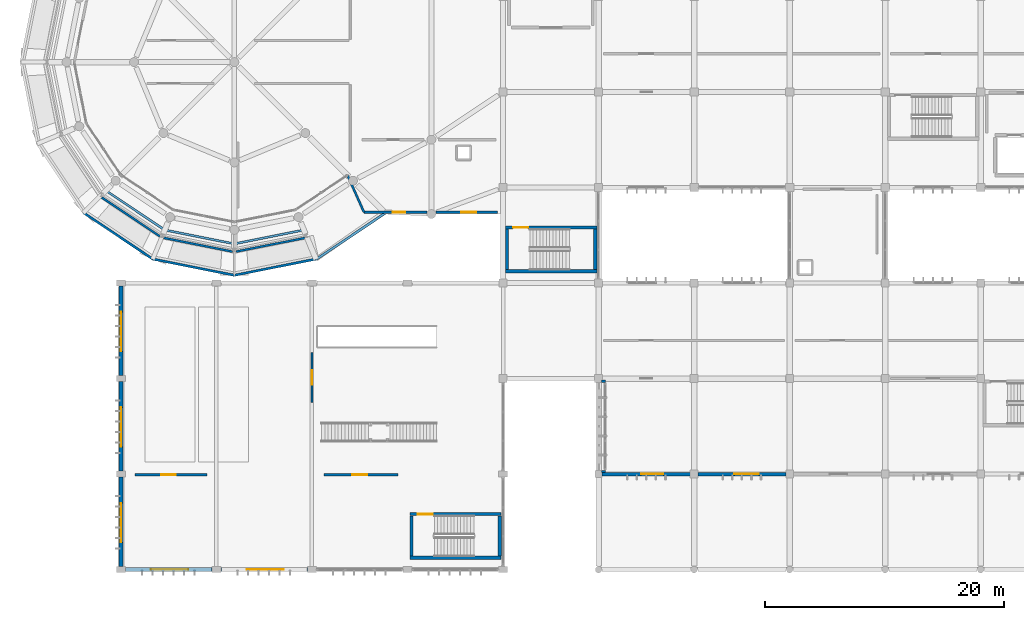
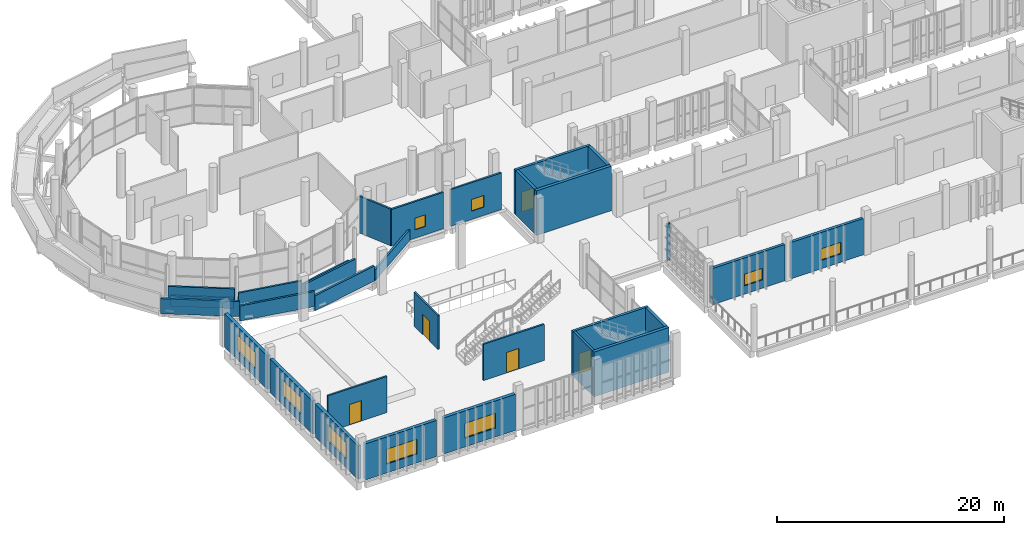
# One storey, part 77 of 106: 33 walls, 9 windows, 5 doors, 14 openings.
"""IFC4 building model written with IfcOpenShell, lengths in metres."""

from ifc_helpers import new_model, si_unit, direction, frame, frame_2d, origin, place, context, subcontext, project, spatial, rectangle, extrude, material, layer, layer_set, type_object, element, fill, save


model = new_model("IFC4")

# Units and contexts
model_context = context("Model", 3, precision=1e-05, world=origin(), true_north=direction((0.0, 1.0)))
body_context = subcontext(model_context, "Body", "Model", "MODEL_VIEW")
ifc_project = project(units=[si_unit("LENGTHUNIT", "METRE"), si_unit("AREAUNIT", "SQUARE_METRE"), si_unit("VOLUMEUNIT", "CUBIC_METRE"), si_unit("PLANEANGLEUNIT", "RADIAN"), si_unit("MASSUNIT", "GRAM", prefix="KILO")], contexts=[model_context])

# Site, building, storey
site_placement = place(None, origin())
site = spatial("IfcSite", under=ifc_project, at=site_placement, CompositionType="ELEMENT")
building_placement = place(site_placement, origin())
building = spatial("IfcBuilding", under=site, at=building_placement, Name="Jelvoka-Kovrelna Polytechnic", CompositionType="ELEMENT")
storey_placement = place(building_placement, frame((0.0, 0.0, 4.800048828125)))
storey = spatial("IfcBuildingStorey", under=building, at=storey_placement, Name="L02", CompositionType="ELEMENT", Elevation=4.800048828125)

# Wall, opening, door
ifc_material_1 = material(Name="Concrete C40/50", Category="concrete")
ifc_layer_1 = layer(ifc_material_1, 0.25)
ifc_layer_set_1 = layer_set([ifc_layer_1], Name="Concrete C40/50")
wall_type_1 = type_object("IfcWallType", Name="Wall_Core_250", PredefinedType="SOLIDWALL", material=ifc_layer_set_1)
wall_1_placement = place(storey_placement, frame((48.199951171875, 28.639892578125, 0.0), z_axis=(0.0, 0.0, 1.0), x_axis=(1.0, 0.0, 0.0)))
wall_1 = element("IfcWall", 1, at=wall_1_placement, inside=storey, type_object=wall_type_1, Name="L02 interior wall 0023", PredefinedType="SOLIDWALL", context=body_context, shape_type="SweptSolid", body=[
    extrude(rectangle(XDim=7.650146484375, YDim=0.25, at=frame_2d((3.8251953125, 0.0))), origin(), (0.0, 0.0, 1.0), 4.800048828125),
])
opening_1_placement = place(wall_1_placement, frame((0.64990234375, 0.0, 0.0)))
opening_1 = element("IfcOpeningElement", 2, at=opening_1_placement, cuts=wall_1, Name="Opening SD-L02-006", PredefinedType="OPENING", context=body_context, shape_type="SweptSolid", body=[
    extrude(rectangle(XDim=1.25, YDim=2.14990234375, at=frame_2d((0.625, 1.074951171875))), frame((0.0, 0.135009765625, 0.0), z_axis=(0.0, -1.0, 0.0), x_axis=(1.0, 0.0, 0.0)), (0.0, 0.0, 1.0), 0.27001953125),
])
ifc_material_2 = material(Name="Powder-coated steel fire door", Category="steel")
door_type_1 = type_object("IfcDoorType", Name="Door_Fire_FD02", OperationType="NOTDEFINED", PredefinedType="DOOR", material=ifc_material_2)
door_1_placement = place(opening_1_placement, origin())
door_1 = element("IfcDoor", 3, at=door_1_placement, inside=storey, type_object=door_type_1, Name="L02 interior door SD-L02-006", OperationType="SINGLE_SWING_LEFT", OverallHeight=2.14990234375, OverallWidth=1.25, PredefinedType="DOOR", context=body_context, shape_type="SweptSolid", body=[
    extrude(rectangle(XDim=1.25, YDim=2.14990234375, at=frame_2d((0.625, 1.074951171875))), frame((0.0, 0.02490234375, 0.0), z_axis=(0.0, -1.0, 0.0), x_axis=(1.0, 0.0, 0.0)), (0.0, 0.0, 1.0), 0.050048828125),
])
fill(opening_1, door_1)

# Wall
wall_2_placement = place(storey_placement, frame((48.324951171875, 25.14990234375, 0.0), z_axis=(0.0, 0.0, 1.0), x_axis=(0.0, 1.0, 0.0)))
element("IfcWall", 4, at=wall_2_placement, inside=storey, type_object=wall_type_1, Name="L02 interior wall 0024", PredefinedType="SOLIDWALL", context=body_context, shape_type="SweptSolid", body=[
    extrude(rectangle(XDim=3.360107421875, YDim=0.25, at=frame_2d((1.68017578125, 0.0))), origin(), (0.0, 0.0, 1.0), 4.800048828125),
])

# Wall, opening, door
wall_3_placement = place(storey_placement, frame((40.199951171875, 4.639892578125, 0.0), z_axis=(0.0, 0.0, 1.0), x_axis=(1.0, 0.0, 0.0)))
wall_3 = element("IfcWall", 5, at=wall_3_placement, inside=storey, type_object=wall_type_1, Name="L02 interior wall 0043", PredefinedType="SOLIDWALL", context=body_context, shape_type="SweptSolid", body=[
    extrude(rectangle(XDim=7.650146484375, YDim=0.25, at=frame_2d((3.8251953125, 0.0))), origin(), (0.0, 0.0, 1.0), 4.800048828125),
])
opening_2_placement = place(wall_3_placement, frame((0.64990234375, 0.0, 0.0)))
opening_2 = element("IfcOpeningElement", 6, at=opening_2_placement, cuts=wall_3, Name="Opening SD-L02-011", PredefinedType="OPENING", context=body_context, shape_type="SweptSolid", body=[
    extrude(rectangle(XDim=1.25, YDim=2.14990234375, at=frame_2d((0.625, 1.074951171875))), frame((0.0, 0.135009765625, 0.0), z_axis=(0.0, -1.0, 0.0), x_axis=(1.0, 0.0, 0.0)), (0.0, 0.0, 1.0), 0.27001953125),
])
door_2_placement = place(opening_2_placement, origin())
door_2 = element("IfcDoor", 7, at=door_2_placement, inside=storey, type_object=door_type_1, Name="L02 interior door SD-L02-011", OperationType="SINGLE_SWING_LEFT", OverallHeight=2.14990234375, OverallWidth=1.25, PredefinedType="DOOR", context=body_context, shape_type="SweptSolid", body=[
    extrude(rectangle(XDim=1.25, YDim=2.14990234375, at=frame_2d((0.625, 1.074951171875))), frame((0.0, 0.02490234375, 0.0), z_axis=(0.0, -1.0, 0.0), x_axis=(1.0, 0.0, 0.0)), (0.0, 0.0, 1.0), 0.050048828125),
])
fill(opening_2, door_2)

# Wall
wall_4_placement = place(storey_placement, frame((40.324951171875, 1.14990234375, 0.0), z_axis=(0.0, 0.0, 1.0), x_axis=(0.0, 1.0, 0.0)))
element("IfcWall", 8, at=wall_4_placement, inside=storey, type_object=wall_type_1, Name="L02 interior wall 0044", PredefinedType="SOLIDWALL", context=body_context, shape_type="SweptSolid", body=[
    extrude(rectangle(XDim=3.360107421875, YDim=0.25, at=frame_2d((1.68017578125, 0.0))), origin(), (0.0, 0.0, 1.0), 4.800048828125),
])

# Wall, opening, door
ifc_material_3 = material(Name="Autoclaved aerated concrete blockwork", Category="masonry")
ifc_layer_2 = layer(ifc_material_3, 0.179931640625)
ifc_layer_set_2 = layer_set([ifc_layer_2], Name="Autoclaved aerated concrete blockwork")
wall_type_2 = type_object("IfcWallType", Name="Wall_Corridor_180", PredefinedType="PARTITIONING", material=ifc_layer_set_2)
wall_5_placement = place(storey_placement, frame((32.0, 14.0, 0.0), z_axis=(0.0, 0.0, 1.0), x_axis=(0.0, 1.0, 0.0)))
wall_5 = element("IfcWall", 9, at=wall_5_placement, inside=storey, type_object=wall_type_2, Name="L02 interior wall 1023", PredefinedType="PARTITIONING", context=body_context, shape_type="SweptSolid", body=[
    extrude(rectangle(XDim=4.199951171875, YDim=0.179931640625, at=frame_2d((2.10009765625, 0.0))), origin(), (0.0, 0.0, 1.0), 3.655029296875),
])
opening_3_placement = place(wall_5_placement, frame((1.489990234375, 0.0, 0.0)))
opening_3 = element("IfcOpeningElement", 10, at=opening_3_placement, cuts=wall_5, Name="Opening D-L02-270", PredefinedType="OPENING", context=body_context, shape_type="SweptSolid", body=[
    extrude(rectangle(XDim=1.219970703125, YDim=2.179931640625, at=frame_2d((0.60986328125, 1.08984375))), frame((0.0, 0.099853515625, 0.0), z_axis=(0.0, -1.0, 0.0), x_axis=(1.0, 0.0, 0.0)), (0.0, 0.0, 1.0), 0.199951171875),
])
ifc_material_4 = material(Name="Hardwood fire-resisting laboratory door", Category="wood")
door_type_2 = type_object("IfcDoorType", Name="Door_Fire_FD30_04", OperationType="NOTDEFINED", PredefinedType="DOOR", material=ifc_material_4)
door_3_placement = place(opening_3_placement, origin())
door_3 = element("IfcDoor", 11, at=door_3_placement, inside=storey, type_object=door_type_2, Name="L02 interior door D-L02-270", OperationType="SINGLE_SWING_RIGHT", OverallHeight=2.179931640625, OverallWidth=1.219970703125, PredefinedType="DOOR", context=body_context, shape_type="SweptSolid", body=[
    extrude(rectangle(XDim=1.219970703125, YDim=2.179931640625, at=frame_2d((0.60986328125, 1.08984375))), frame((0.0, 0.02490234375, 0.0), z_axis=(0.0, -1.0, 0.0), x_axis=(1.0, 0.0, 0.0)), (0.0, 0.0, 1.0), 0.050048828125),
])
fill(opening_3, door_3)

wall_6_placement = place(storey_placement, frame((17.199951171875, 7.949951171875, 0.0), z_axis=(0.0, 0.0, 1.0), x_axis=(1.0, 0.0, 0.0)))
wall_6 = element("IfcWall", 12, at=wall_6_placement, inside=storey, type_object=wall_type_2, Name="L02 interior wall 1024", PredefinedType="PARTITIONING", context=body_context, shape_type="SweptSolid", body=[
    extrude(rectangle(XDim=6.0, YDim=0.179931640625, at=frame_2d((3.0, 0.0))), origin(), (0.0, 0.0, 1.0), 3.89990234375),
])
opening_4_placement = place(wall_6_placement, frame((2.199951171875, 0.0, 0.0)))
opening_4 = element("IfcOpeningElement", 13, at=opening_4_placement, cuts=wall_6, Name="Opening D-L02-271", PredefinedType="OPENING", context=body_context, shape_type="SweptSolid", body=[
    extrude(rectangle(XDim=1.199951171875, YDim=2.199951171875, at=frame_2d((0.60009765625, 1.10009765625))), frame((0.0, 0.099853515625, 0.0), z_axis=(0.0, -1.0, 0.0), x_axis=(1.0, 0.0, 0.0)), (0.0, 0.0, 1.0), 0.199951171875),
])
ifc_material_5 = material(Name="Laboratory vision-panel door", Category="wood")
door_type_3 = type_object("IfcDoorType", Name="Door_Int_D13", OperationType="NOTDEFINED", PredefinedType="DOOR", material=ifc_material_5)
door_4_placement = place(opening_4_placement, origin())
door_4 = element("IfcDoor", 14, at=door_4_placement, inside=storey, type_object=door_type_3, Name="L02 interior door D-L02-271", OperationType="SINGLE_SWING_LEFT", OverallHeight=2.199951171875, OverallWidth=1.199951171875, PredefinedType="DOOR", context=body_context, shape_type="SweptSolid", body=[
    extrude(rectangle(XDim=1.199951171875, YDim=2.199951171875, at=frame_2d((0.60009765625, 1.10009765625))), frame((0.0, 0.02490234375, 0.0), z_axis=(0.0, -1.0, 0.0), x_axis=(1.0, 0.0, 0.0)), (0.0, 0.0, 1.0), 0.050048828125),
])
fill(opening_4, door_4)

wall_7_placement = place(storey_placement, frame((33.0, 7.949951171875, 0.0), z_axis=(0.0, 0.0, 1.0), x_axis=(1.0, 0.0, 0.0)))
wall_7 = element("IfcWall", 15, at=wall_7_placement, inside=storey, type_object=wall_type_2, Name="L02 interior wall 1025", PredefinedType="PARTITIONING", context=body_context, shape_type="SweptSolid", body=[
    extrude(rectangle(XDim=6.199951171875, YDim=0.179931640625, at=frame_2d((3.10009765625, 0.0))), origin(), (0.0, 0.0, 1.0), 3.89990234375),
])
opening_5_placement = place(wall_7_placement, frame((2.360107421875, 0.0, 0.0)))
opening_5 = element("IfcOpeningElement", 16, at=opening_5_placement, cuts=wall_7, Name="Opening D-L02-272", PredefinedType="OPENING", context=body_context, shape_type="SweptSolid", body=[
    extrude(rectangle(XDim=1.280029296875, YDim=2.199951171875, at=frame_2d((0.64013671875, 1.10009765625))), frame((0.0, 0.099853515625, 0.0), z_axis=(0.0, -1.0, 0.0), x_axis=(1.0, 0.0, 0.0)), (0.0, 0.0, 1.0), 0.199951171875),
])
ifc_material_6 = material(Name="Studio wide leaf door", Category="wood")
door_type_4 = type_object("IfcDoorType", Name="Door_Int_D14", OperationType="NOTDEFINED", PredefinedType="DOOR", material=ifc_material_6)
door_5_placement = place(opening_5_placement, origin())
door_5 = element("IfcDoor", 17, at=door_5_placement, inside=storey, type_object=door_type_4, Name="L02 interior door D-L02-272", OperationType="SINGLE_SWING_RIGHT", OverallHeight=2.199951171875, OverallWidth=1.280029296875, PredefinedType="DOOR", context=body_context, shape_type="SweptSolid", body=[
    extrude(rectangle(XDim=1.280029296875, YDim=2.199951171875, at=frame_2d((0.64013671875, 1.10009765625))), frame((0.0, 0.02490234375, 0.0), z_axis=(0.0, -1.0, 0.0), x_axis=(1.0, 0.0, 0.0)), (0.0, 0.0, 1.0), 0.050048828125),
])
fill(opening_5, door_5)

# Wall, opening, window
ifc_material_7 = material(Name="Precast concrete C40/50", Category="concrete")
ifc_layer_3 = layer(ifc_material_7, 0.324951171875)
ifc_layer_set_3 = layer_set([ifc_layer_3], Name="Precast concrete C40/50")
wall_type_3 = type_object("IfcWallType", Name="Wall_Ext_Acoustic_325", PredefinedType="STANDARD", material=ifc_layer_set_3)
wall_8_placement = place(storey_placement, frame((23.6279296875, 0.0, 0.0), z_axis=(0.0, 0.0, 1.0), x_axis=(-1.0, 0.0, 0.0)))
wall_8 = element("IfcWall", 18, at=wall_8_placement, inside=storey, type_object=wall_type_3, Name="L02 exterior wall 1131", PredefinedType="STANDARD", context=body_context, shape_type="SweptSolid", body=[
    extrude(rectangle(XDim=7.255859375, YDim=0.324951171875, at=frame_2d((3.6279296875, 0.0))), origin(), (0.0, 0.0, 1.0), 3.889892578125),
])
opening_6_placement = place(wall_8_placement, frame((2.008056640625, 0.0, 0.949951171875)))
opening_6 = element("IfcOpeningElement", 19, at=opening_6_placement, cuts=wall_8, Name="Opening W-L02-567", PredefinedType="OPENING", context=body_context, shape_type="SweptSolid", body=[
    extrude(rectangle(XDim=3.10009765625, YDim=1.60009765625, at=frame_2d((1.550048828125, 0.800048828125))), frame((0.0, 0.172607421875, 0.0), z_axis=(0.0, -1.0, 0.0), x_axis=(1.0, 0.0, 0.0)), (0.0, 0.0, 1.0), 0.344970703125),
])
ifc_material_8 = material(Name="Thermally broken anodised aluminium and low-e glazing", Category="aluminium")
window_type_1 = type_object("IfcWindowType", Name="Win_Casement_W61", PartitioningType="DOUBLE_PANEL_VERTICAL", PredefinedType="WINDOW", material=ifc_material_8)
window_1_placement = place(opening_6_placement, origin())
window_1 = element("IfcWindow", 20, at=window_1_placement, inside=storey, type_object=window_type_1, Name="L02 aluminium casement window W-L02-567", OverallHeight=1.60009765625, OverallWidth=3.10009765625, PartitioningType="DOUBLE_PANEL_VERTICAL", PredefinedType="WINDOW", context=body_context, shape_type="SweptSolid", body=[
    extrude(rectangle(XDim=3.10009765625, YDim=1.60009765625, at=frame_2d((1.550048828125, 0.800048828125))), frame((0.0, 0.030029296875, 0.0), z_axis=(0.0, -1.0, 0.0), x_axis=(1.0, 0.0, 0.0)), (0.0, 0.0, 1.0), 0.06005859375),
])
fill(opening_6, window_1)

wall_9_placement = place(storey_placement, frame((31.6279296875, 0.0, 0.0), z_axis=(0.0, 0.0, 1.0), x_axis=(-1.0, 0.0, 0.0)))
wall_9 = element("IfcWall", 21, at=wall_9_placement, inside=storey, type_object=wall_type_3, Name="L02 exterior wall 1132", PredefinedType="STANDARD", context=body_context, shape_type="SweptSolid", body=[
    extrude(rectangle(XDim=7.255859375, YDim=0.324951171875, at=frame_2d((3.6279296875, 0.0))), origin(), (0.0, 0.0, 1.0), 3.889892578125),
])
opening_7_placement = place(wall_9_placement, frame((2.008056640625, 0.0, 0.949951171875)))
opening_7 = element("IfcOpeningElement", 22, at=opening_7_placement, cuts=wall_9, Name="Opening W-L02-568", PredefinedType="OPENING", context=body_context, shape_type="SweptSolid", body=[
    extrude(rectangle(XDim=3.10009765625, YDim=1.60009765625, at=frame_2d((1.550048828125, 0.800048828125))), frame((0.0, 0.172607421875, 0.0), z_axis=(0.0, -1.0, 0.0), x_axis=(1.0, 0.0, 0.0)), (0.0, 0.0, 1.0), 0.344970703125),
])
window_2_placement = place(opening_7_placement, origin())
window_2 = element("IfcWindow", 23, at=window_2_placement, inside=storey, type_object=window_type_1, Name="L02 aluminium casement window W-L02-568", OverallHeight=1.60009765625, OverallWidth=3.10009765625, PartitioningType="DOUBLE_PANEL_VERTICAL", PredefinedType="WINDOW", context=body_context, shape_type="SweptSolid", body=[
    extrude(rectangle(XDim=3.10009765625, YDim=1.60009765625, at=frame_2d((1.550048828125, 0.800048828125))), frame((0.0, 0.030029296875, 0.0), z_axis=(0.0, -1.0, 0.0), x_axis=(1.0, 0.0, 0.0)), (0.0, 0.0, 1.0), 0.06005859375),
])
fill(opening_7, window_2)

wall_10_placement = place(storey_placement, frame((16.0, 0.2470703125, 0.0), z_axis=(0.0, 0.0, 1.0), x_axis=(0.0, 1.0, 0.0)))
wall_10 = element("IfcWall", 24, at=wall_10_placement, inside=storey, type_object=wall_type_3, Name="L02 exterior wall 1133", PredefinedType="STANDARD", context=body_context, shape_type="SweptSolid", body=[
    extrude(rectangle(XDim=7.505859375, YDim=0.324951171875, at=frame_2d((3.7529296875, 0.0))), origin(), (0.0, 0.0, 1.0), 3.58984375),
])
opening_8_placement = place(wall_10_placement, frame((2.032958984375, 0.0, 0.949951171875)))
opening_8 = element("IfcOpeningElement", 25, at=opening_8_placement, cuts=wall_10, Name="Opening W-L02-569", PredefinedType="OPENING", context=body_context, shape_type="SweptSolid", body=[
    extrude(rectangle(XDim=3.300048828125, YDim=1.75, at=frame_2d((1.64990234375, 0.875))), frame((0.0, 0.172607421875, 0.0), z_axis=(0.0, -1.0, 0.0), x_axis=(1.0, 0.0, 0.0)), (0.0, 0.0, 1.0), 0.344970703125),
])
ifc_material_9 = material(Name="Thermally broken anodised aluminium and low-e glazing", Category="aluminium")
window_type_2 = type_object("IfcWindowType", Name="Win_Casement_W62", PartitioningType="DOUBLE_PANEL_VERTICAL", PredefinedType="WINDOW", material=ifc_material_9)
window_3_placement = place(opening_8_placement, origin())
window_3 = element("IfcWindow", 26, at=window_3_placement, inside=storey, type_object=window_type_2, Name="L02 aluminium casement window W-L02-569", OverallHeight=1.75, OverallWidth=3.300048828125, PartitioningType="DOUBLE_PANEL_VERTICAL", PredefinedType="WINDOW", context=body_context, shape_type="SweptSolid", body=[
    extrude(rectangle(XDim=3.300048828125, YDim=1.75, at=frame_2d((1.64990234375, 0.875))), frame((0.0, 0.030029296875, 0.0), z_axis=(0.0, -1.0, 0.0), x_axis=(1.0, 0.0, 0.0)), (0.0, 0.0, 1.0), 0.06005859375),
])
fill(opening_8, window_3)

wall_11_placement = place(storey_placement, frame((16.0, 8.2470703125, 0.0), z_axis=(0.0, 0.0, 1.0), x_axis=(0.0, 1.0, 0.0)))
wall_11 = element("IfcWall", 27, at=wall_11_placement, inside=storey, type_object=wall_type_3, Name="L02 exterior wall 1134", PredefinedType="STANDARD", context=body_context, shape_type="SweptSolid", body=[
    extrude(rectangle(XDim=7.505859375, YDim=0.324951171875, at=frame_2d((3.7529296875, 0.0))), origin(), (0.0, 0.0, 1.0), 3.58984375),
])
opening_9_placement = place(wall_11_placement, frame((2.032958984375, 0.0, 0.949951171875)))
opening_9 = element("IfcOpeningElement", 28, at=opening_9_placement, cuts=wall_11, Name="Opening W-L02-570", PredefinedType="OPENING", context=body_context, shape_type="SweptSolid", body=[
    extrude(rectangle(XDim=3.300048828125, YDim=1.75, at=frame_2d((1.64990234375, 0.875))), frame((0.0, 0.172607421875, 0.0), z_axis=(0.0, -1.0, 0.0), x_axis=(1.0, 0.0, 0.0)), (0.0, 0.0, 1.0), 0.344970703125),
])
window_4_placement = place(opening_9_placement, origin())
window_4 = element("IfcWindow", 29, at=window_4_placement, inside=storey, type_object=window_type_2, Name="L02 aluminium casement window W-L02-570", OverallHeight=1.75, OverallWidth=3.300048828125, PartitioningType="DOUBLE_PANEL_VERTICAL", PredefinedType="WINDOW", context=body_context, shape_type="SweptSolid", body=[
    extrude(rectangle(XDim=3.300048828125, YDim=1.75, at=frame_2d((1.64990234375, 0.875))), frame((0.0, 0.030029296875, 0.0), z_axis=(0.0, -1.0, 0.0), x_axis=(1.0, 0.0, 0.0)), (0.0, 0.0, 1.0), 0.06005859375),
])
fill(opening_9, window_4)

wall_12_placement = place(storey_placement, frame((16.0, 16.2470703125, 0.0), z_axis=(0.0, 0.0, 1.0), x_axis=(0.0, 1.0, 0.0)))
wall_12 = element("IfcWall", 30, at=wall_12_placement, inside=storey, type_object=wall_type_3, Name="L02 exterior wall 1135", PredefinedType="STANDARD", context=body_context, shape_type="SweptSolid", body=[
    extrude(rectangle(XDim=7.505859375, YDim=0.324951171875, at=frame_2d((3.7529296875, 0.0))), origin(), (0.0, 0.0, 1.0), 3.58984375),
])
opening_10_placement = place(wall_12_placement, frame((2.032958984375, 0.0, 0.949951171875)))
opening_10 = element("IfcOpeningElement", 31, at=opening_10_placement, cuts=wall_12, Name="Opening W-L02-571", PredefinedType="OPENING", context=body_context, shape_type="SweptSolid", body=[
    extrude(rectangle(XDim=3.300048828125, YDim=1.75, at=frame_2d((1.64990234375, 0.875))), frame((0.0, 0.172607421875, 0.0), z_axis=(0.0, -1.0, 0.0), x_axis=(1.0, 0.0, 0.0)), (0.0, 0.0, 1.0), 0.344970703125),
])
window_5_placement = place(opening_10_placement, origin())
window_5 = element("IfcWindow", 32, at=window_5_placement, inside=storey, type_object=window_type_2, Name="L02 aluminium casement window W-L02-571", OverallHeight=1.75, OverallWidth=3.300048828125, PartitioningType="DOUBLE_PANEL_VERTICAL", PredefinedType="WINDOW", context=body_context, shape_type="SweptSolid", body=[
    extrude(rectangle(XDim=3.300048828125, YDim=1.75, at=frame_2d((1.64990234375, 0.875))), frame((0.0, 0.030029296875, 0.0), z_axis=(0.0, -1.0, 0.0), x_axis=(1.0, 0.0, 0.0)), (0.0, 0.0, 1.0), 0.06005859375),
])
fill(opening_10, window_5)

# Wall
ifc_material_10 = material(Name="Precast concrete C40/50", Category="concrete")
ifc_layer_4 = layer(ifc_material_10, 0.18505859375)
ifc_layer_set_4 = layer_set([ifc_layer_4], Name="Precast concrete C40/50")
wall_type_4 = type_object("IfcWallType", Name="Wall_Ext_White_260", PredefinedType="STANDARD", material=ifc_layer_set_4)
wall_13_placement = place(storey_placement, frame((36.360107421875, 29.922119140625, 0.0), z_axis=(0.0, 0.0, 1.0), x_axis=(-0.40761125598, 0.913155553013, 0.0)))
element("IfcWall", 33, at=wall_13_placement, inside=storey, type_object=wall_type_4, Name="L02 exterior wall 0979", PredefinedType="STANDARD", context=body_context, shape_type="SweptSolid", body=[
    extrude(rectangle(XDim=3.39794921875, YDim=0.18505859375, at=frame_2d((1.698974609375, 0.0))), origin(), (0.0, 0.0, 1.0), 3.949951171875),
])

# Wall, opening, window
wall_14_placement = place(storey_placement, frame((41.6279296875, 29.922119140625, 0.0), z_axis=(0.0, 0.0, 1.0), x_axis=(-1.0, 0.0, 0.0)))
wall_14 = element("IfcWall", 34, at=wall_14_placement, inside=storey, type_object=wall_type_4, Name="L02 exterior wall 0980", PredefinedType="STANDARD", context=body_context, shape_type="SweptSolid", body=[
    extrude(rectangle(XDim=5.287841796875, YDim=0.18505859375, at=frame_2d((2.64404296875, 0.0))), origin(), (0.0, 0.0, 1.0), 3.925048828125),
])
opening_11_placement = place(wall_14_placement, frame((1.827880859375, 0.0, 0.89990234375)))
opening_11 = element("IfcOpeningElement", 35, at=opening_11_placement, cuts=wall_14, Name="Opening W-L02-545", PredefinedType="OPENING", context=body_context, shape_type="SweptSolid", body=[
    extrude(rectangle(XDim=1.050048828125, YDim=1.25, at=frame_2d((0.52490234375, 0.625))), frame((0.0, 0.1025390625, 0.0), z_axis=(0.0, -1.0, 0.0), x_axis=(1.0, 0.0, 0.0)), (0.0, 0.0, 1.0), 0.205078125),
])
ifc_material_11 = material(Name="Thermally broken anodised aluminium and low-e glazing", Category="aluminium")
window_type_3 = type_object("IfcWindowType", Name="Win_Casement_W01", PartitioningType="SINGLE_PANEL", PredefinedType="WINDOW", material=ifc_material_11)
window_6_placement = place(opening_11_placement, origin())
window_6 = element("IfcWindow", 36, at=window_6_placement, inside=storey, type_object=window_type_3, Name="L02 aluminium casement window W-L02-545", OverallHeight=1.25, OverallWidth=1.050048828125, PartitioningType="SINGLE_PANEL", PredefinedType="WINDOW", context=body_context, shape_type="SweptSolid", body=[
    extrude(rectangle(XDim=1.050048828125, YDim=1.25, at=frame_2d((0.52490234375, 0.625))), frame((0.0, 0.030029296875, 0.0), z_axis=(0.0, -1.0, 0.0), x_axis=(1.0, 0.0, 0.0)), (0.0, 0.0, 1.0), 0.06005859375),
])
fill(opening_11, window_6)

wall_15_placement = place(storey_placement, frame((47.550048828125, 29.922119140625, 0.0), z_axis=(0.0, 0.0, 1.0), x_axis=(-1.0, 0.0, 0.0)))
wall_15 = element("IfcWall", 37, at=wall_15_placement, inside=storey, type_object=wall_type_4, Name="L02 exterior wall 0981", PredefinedType="STANDARD", context=body_context, shape_type="SweptSolid", body=[
    extrude(rectangle(XDim=5.177978515625, YDim=0.18505859375, at=frame_2d((2.5888671875, 0.0))), origin(), (0.0, 0.0, 1.0), 3.949951171875),
])
opening_12_placement = place(wall_15_placement, frame((1.800048828125, 0.0, 0.89990234375)))
opening_12 = element("IfcOpeningElement", 38, at=opening_12_placement, cuts=wall_15, Name="Opening W-L02-546", PredefinedType="OPENING", context=body_context, shape_type="SweptSolid", body=[
    extrude(rectangle(XDim=1.25, YDim=1.25, at=frame_2d((0.625, 0.625))), frame((0.0, 0.1025390625, 0.0), z_axis=(0.0, -1.0, 0.0), x_axis=(1.0, 0.0, 0.0)), (0.0, 0.0, 1.0), 0.205078125),
])
ifc_material_12 = material(Name="Thermally broken anodised aluminium and low-e glazing", Category="aluminium")
window_type_4 = type_object("IfcWindowType", Name="Win_Casement_W02", PartitioningType="SINGLE_PANEL", PredefinedType="WINDOW", material=ifc_material_12)
window_7_placement = place(opening_12_placement, origin())
window_7 = element("IfcWindow", 39, at=window_7_placement, inside=storey, type_object=window_type_4, Name="L02 aluminium casement window W-L02-546", OverallHeight=1.25, OverallWidth=1.25, PartitioningType="SINGLE_PANEL", PredefinedType="WINDOW", context=body_context, shape_type="SweptSolid", body=[
    extrude(rectangle(XDim=1.25, YDim=1.25, at=frame_2d((0.625, 0.625))), frame((0.0, 0.030029296875, 0.0), z_axis=(0.0, -1.0, 0.0), x_axis=(1.0, 0.0, 0.0)), (0.0, 0.0, 1.0), 0.06005859375),
])
fill(opening_12, window_7)

ifc_material_13 = material(Name="Precast concrete C40/50", Category="concrete")
ifc_layer_5 = layer(ifc_material_13, 0.280029296875)
ifc_layer_set_5 = layer_set([ifc_layer_5], Name="Precast concrete C40/50")
wall_type_5 = type_object("IfcWallType", Name="Wall_Ext_White_280", PredefinedType="STANDARD", material=ifc_layer_set_5)
wall_16_placement = place(storey_placement, frame((63.677978515625, 8.0, 0.0), z_axis=(0.0, 0.0, 1.0), x_axis=(-1.0, 0.0, 0.0)))
wall_16 = element("IfcWall", 40, at=wall_16_placement, inside=storey, type_object=wall_type_5, Name="L02 exterior wall 0256", PredefinedType="STANDARD", context=body_context, shape_type="SweptSolid", body=[
    extrude(rectangle(XDim=7.380859375, YDim=0.280029296875, at=frame_2d((3.6904296875, 0.0))), origin(), (0.0, 0.0, 1.0), 3.909912109375),
])
opening_13_placement = place(wall_16_placement, frame((2.258056640625, 0.0, 0.89990234375)))
opening_13 = element("IfcOpeningElement", 41, at=opening_13_placement, cuts=wall_16, Name="Opening W-L02-022", PredefinedType="OPENING", context=body_context, shape_type="SweptSolid", body=[
    extrude(rectangle(XDim=1.85009765625, YDim=1.25, at=frame_2d((0.925048828125, 0.625))), frame((0.0, 0.150146484375, 0.0), z_axis=(0.0, -1.0, 0.0), x_axis=(1.0, 0.0, 0.0)), (0.0, 0.0, 1.0), 0.300048828125),
])
ifc_material_14 = material(Name="Thermally broken anodised aluminium and low-e glazing", Category="aluminium")
window_type_5 = type_object("IfcWindowType", Name="Win_Casement_W05", PartitioningType="DOUBLE_PANEL_VERTICAL", PredefinedType="WINDOW", material=ifc_material_14)
window_8_placement = place(opening_13_placement, origin())
window_8 = element("IfcWindow", 42, at=window_8_placement, inside=storey, type_object=window_type_5, Name="L02 aluminium casement window W-L02-022", OverallHeight=1.25, OverallWidth=1.85009765625, PartitioningType="DOUBLE_PANEL_VERTICAL", PredefinedType="WINDOW", context=body_context, shape_type="SweptSolid", body=[
    extrude(rectangle(XDim=1.85009765625, YDim=1.25, at=frame_2d((0.925048828125, 0.625))), frame((0.0, 0.030029296875, 0.0), z_axis=(0.0, -1.0, 0.0), x_axis=(1.0, 0.0, 0.0)), (0.0, 0.0, 1.0), 0.06005859375),
])
fill(opening_13, window_8)

wall_17_placement = place(storey_placement, frame((71.677978515625, 8.0, 0.0), z_axis=(0.0, 0.0, 1.0), x_axis=(-1.0, 0.0, 0.0)))
wall_17 = element("IfcWall", 43, at=wall_17_placement, inside=storey, type_object=wall_type_5, Name="L02 exterior wall 0258", PredefinedType="STANDARD", context=body_context, shape_type="SweptSolid", body=[
    extrude(rectangle(XDim=7.35595703125, YDim=0.280029296875, at=frame_2d((3.677978515625, 0.0))), origin(), (0.0, 0.0, 1.0), 3.909912109375),
])
opening_14_placement = place(wall_17_placement, frame((2.258056640625, 0.0, 0.89990234375)))
opening_14 = element("IfcOpeningElement", 44, at=opening_14_placement, cuts=wall_17, Name="Opening W-L02-024", PredefinedType="OPENING", context=body_context, shape_type="SweptSolid", body=[
    extrude(rectangle(XDim=2.050048828125, YDim=1.25, at=frame_2d((1.02490234375, 0.625))), frame((0.0, 0.150146484375, 0.0), z_axis=(0.0, -1.0, 0.0), x_axis=(1.0, 0.0, 0.0)), (0.0, 0.0, 1.0), 0.300048828125),
])
ifc_material_15 = material(Name="Thermally broken anodised aluminium and low-e glazing", Category="aluminium")
window_type_6 = type_object("IfcWindowType", Name="Win_Casement_W06", PartitioningType="DOUBLE_PANEL_VERTICAL", PredefinedType="WINDOW", material=ifc_material_15)
window_9_placement = place(opening_14_placement, origin())
window_9 = element("IfcWindow", 45, at=window_9_placement, inside=storey, type_object=window_type_6, Name="L02 aluminium casement window W-L02-024", OverallHeight=1.25, OverallWidth=2.050048828125, PartitioningType="DOUBLE_PANEL_VERTICAL", PredefinedType="WINDOW", context=body_context, shape_type="SweptSolid", body=[
    extrude(rectangle(XDim=2.050048828125, YDim=1.25, at=frame_2d((1.02490234375, 0.625))), frame((0.0, 0.030029296875, 0.0), z_axis=(0.0, -1.0, 0.0), x_axis=(1.0, 0.0, 0.0)), (0.0, 0.0, 1.0), 0.06005859375),
])
fill(opening_14, window_9)

# Walls
ifc_material_16 = material(Name="Precast concrete C40/50", Category="concrete")
ifc_layer_6 = layer(ifc_material_16, 0.179931640625)
ifc_layer_set_6 = layer_set([ifc_layer_6], Name="Precast concrete C40/50")
wall_type_6 = type_object("IfcWallType", Name="Wall_Parapet_180", PredefinedType="PARAPET", material=ifc_layer_set_6)
for number, where, z_axis, x_axis, name in (
    (46, (14.870849609375, 31.64892578125, 0.0), (0.0, 0.0, 1.0), (0.831481620435, -0.555552261158, 0.0), "L02 exterior wall 0972"),
    (47, (19.83251953125, 28.407470703125, 0.0), (0.0, 0.0, 1.0), (0.980782378932, -0.19510490813, 0.0), "L02 exterior wall 0973"),
    (48, (25.656982421875, 27.311279296875, 0.0), (0.0, 0.0, 1.0), (0.980782378932, 0.19510490813, 0.0), "L02 exterior wall 0974"),
):
    element("IfcWall", number, at=place(storey_placement, frame(where, z_axis=z_axis, x_axis=x_axis)), inside=storey, type_object=wall_type_6, Name=name, PredefinedType="PARAPET", context=body_context, shape_type="SweptSolid", body=[
        extrude(rectangle(XDim=5.618408203125, YDim=0.179931640625, at=frame_2d((2.80908203125, 0.0))), origin(), (0.0, 0.0, 1.0), 1.14990234375),
    ])
for number, where, z_axis, x_axis, name in (
    (49, (31.427734375, 27.779052734375, 0.010009765625), (0.0, 0.0, 1.0), (-0.980782832021, -0.195102630459, 0.0), "L02 exterior wall 1060"),
    (50, (25.343017578125, 26.631103515625, 0.489990234375), (0.0, 0.0, 1.0), (-0.980782832021, 0.195102630459, 0.0), "L02 exterior wall 1062"),
):
    element("IfcWall", number, at=place(storey_placement, frame(where, z_axis=z_axis, x_axis=x_axis)), inside=storey, type_object=wall_type_6, Name=name, PredefinedType="PARAPET", context=body_context, shape_type="SweptSolid", body=[
        extrude(rectangle(XDim=5.8837890625, YDim=0.179931640625, at=frame_2d((2.94189453125, 0.0))), origin(), (0.0, 0.0, 1.0), 1.619873046875),
    ])
wall_18_placement = place(storey_placement, frame((19.2822265625, 27.899169921875, 0.969970703125), z_axis=(0.0, 0.0, 1.0), x_axis=(-0.831462553548, 0.555580797046, 0.0)))
element("IfcWall", 51, at=wall_18_placement, inside=storey, type_object=wall_type_6, Name="L02 exterior wall 1064", PredefinedType="PARAPET", context=body_context, shape_type="SweptSolid", body=[
    extrude(rectangle(XDim=5.884033203125, YDim=0.179931640625, at=frame_2d((2.94189453125, 0.0))), origin(), (0.0, 0.0, 1.0), 1.619873046875),
])
ifc_material_17 = material(Name="Precast concrete C40/50", Category="concrete")
ifc_layer_7 = layer(ifc_material_17, 0.199951171875)
ifc_layer_set_7 = layer_set([ifc_layer_7], Name="Precast concrete C40/50")
wall_type_7 = type_object("IfcWallType", Name="Wall_Parapet_200", PredefinedType="PARAPET", material=ifc_layer_set_7)
for number, where, z_axis, x_axis, name in (
    (52, (56.239990234375, 8.219970703125, 0.0), (0.0, 0.0, 1.0), (1.0, 0.0, 0.0), "L02 exterior wall 0280"),
    (53, (56.239990234375, 15.780029296875, 0.0), (0.0, 0.0, 1.0), (1.0, 0.0, 0.0), "L02 exterior wall 0281"),
):
    element("IfcWall", number, at=place(storey_placement, frame(where, z_axis=z_axis, x_axis=x_axis)), inside=storey, type_object=wall_type_7, Name=name, PredefinedType="PARAPET", context=body_context, shape_type="SweptSolid", body=[
        extrude(rectangle(XDim=0.320068359375, YDim=0.199951171875, at=frame_2d((0.16015625, 0.0))), origin(), (0.0, 0.0, 1.0), 3.949951171875),
    ])
wall_19_placement = place(storey_placement, frame((32.34228515625, 25.98095703125, 0.0), z_axis=(0.0, 0.0, 1.0), x_axis=(0.831468390799, 0.555572061125, 0.0)))
element("IfcWall", 54, at=wall_19_placement, inside=storey, type_object=wall_type_7, Name="L02 exterior wall 0964", PredefinedType="PARAPET", context=body_context, shape_type="SweptSolid", body=[
    extrude(rectangle(XDim=6.9765625, YDim=0.199951171875, at=frame_2d((3.48828125, 0.0))), origin(), (0.0, 0.0, 1.0), 1.14990234375),
])
for number, where, z_axis, x_axis, name in (
    (55, (32.330810546875, 26.0087890625, 0.010009765625), (0.0, 0.0, 1.0), (-0.9807810487, -0.19511159502, 0.0), "L02 exterior wall 1059"),
    (56, (25.5, 24.64990234375, 0.489990234375), (0.0, 0.0, 1.0), (-0.9807810487, 0.19511159502, 0.0), "L02 exterior wall 1061"),
):
    element("IfcWall", number, at=place(storey_placement, frame(where, z_axis=z_axis, x_axis=x_axis)), inside=storey, type_object=wall_type_7, Name=name, PredefinedType="PARAPET", context=body_context, shape_type="SweptSolid", body=[
        extrude(rectangle(XDim=6.964599609375, YDim=0.199951171875, at=frame_2d((3.482421875, 0.0))), origin(), (0.0, 0.0, 1.0), 1.619873046875),
    ])
wall_20_placement = place(storey_placement, frame((18.669189453125, 26.0087890625, 0.969970703125), z_axis=(0.0, 0.0, 1.0), x_axis=(-0.831472806966, 0.555565451838, 0.0)))
element("IfcWall", 57, at=wall_20_placement, inside=storey, type_object=wall_type_7, Name="L02 exterior wall 1063", PredefinedType="PARAPET", context=body_context, shape_type="SweptSolid", body=[
    extrude(rectangle(XDim=6.96484375, YDim=0.199951171875, at=frame_2d((3.482421875, 0.0))), origin(), (0.0, 0.0, 1.0), 1.619873046875),
])
ifc_material_18 = material(Name="Concrete C40/50", Category="concrete")
ifc_layer_8 = layer(ifc_material_18, 0.300048828125)
ifc_layer_set_8 = layer_set([ifc_layer_8], Name="Concrete C40/50")
wall_type_8 = type_object("IfcWallType", Name="Wall_Shear_300", PredefinedType="SHEAR", material=ifc_layer_set_8)
wall_21_placement = place(storey_placement, frame((48.199951171875, 24.989990234375, 0.0), z_axis=(0.0, 0.0, 1.0), x_axis=(1.0, 0.0, 0.0)))
element("IfcWall", 58, at=wall_21_placement, inside=storey, type_object=wall_type_8, Name="L02 interior wall 0021", PredefinedType="SHEAR", context=body_context, shape_type="SweptSolid", body=[
    extrude(rectangle(XDim=7.650146484375, YDim=0.300048828125, at=frame_2d((3.8251953125, 0.0))), origin(), (0.0, 0.0, 1.0), 4.800048828125),
])
wall_22_placement = place(storey_placement, frame((55.7099609375, 25.14990234375, 0.0), z_axis=(0.0, 0.0, 1.0), x_axis=(0.0, 1.0, 0.0)))
element("IfcWall", 59, at=wall_22_placement, inside=storey, type_object=wall_type_8, Name="L02 interior wall 0022", PredefinedType="SHEAR", context=body_context, shape_type="SweptSolid", body=[
    extrude(rectangle(XDim=3.360107421875, YDim=0.300048828125, at=frame_2d((1.68017578125, 0.0))), origin(), (0.0, 0.0, 1.0), 4.800048828125),
])
wall_23_placement = place(storey_placement, frame((40.199951171875, 0.989990234375, 0.0), z_axis=(0.0, 0.0, 1.0), x_axis=(1.0, 0.0, 0.0)))
element("IfcWall", 60, at=wall_23_placement, inside=storey, type_object=wall_type_8, Name="L02 interior wall 0041", PredefinedType="SHEAR", context=body_context, shape_type="SweptSolid", body=[
    extrude(rectangle(XDim=7.650146484375, YDim=0.300048828125, at=frame_2d((3.8251953125, 0.0))), origin(), (0.0, 0.0, 1.0), 4.800048828125),
])
wall_24_placement = place(storey_placement, frame((47.7099609375, 1.14990234375, 0.0), z_axis=(0.0, 0.0, 1.0), x_axis=(0.0, 1.0, 0.0)))
element("IfcWall", 61, at=wall_24_placement, inside=storey, type_object=wall_type_8, Name="L02 interior wall 0042", PredefinedType="SHEAR", context=body_context, shape_type="SweptSolid", body=[
    extrude(rectangle(XDim=3.360107421875, YDim=0.300048828125, at=frame_2d((1.68017578125, 0.0))), origin(), (0.0, 0.0, 1.0), 4.800048828125),
])

save(model, "model.ifc")
